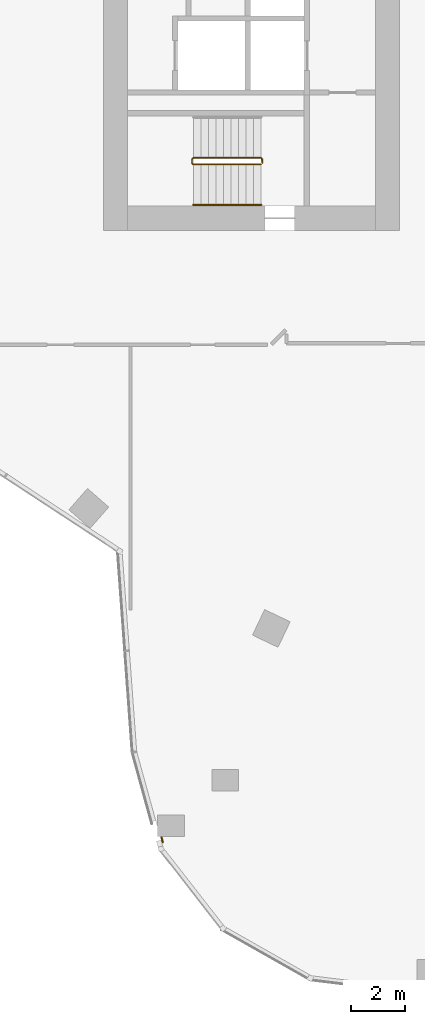
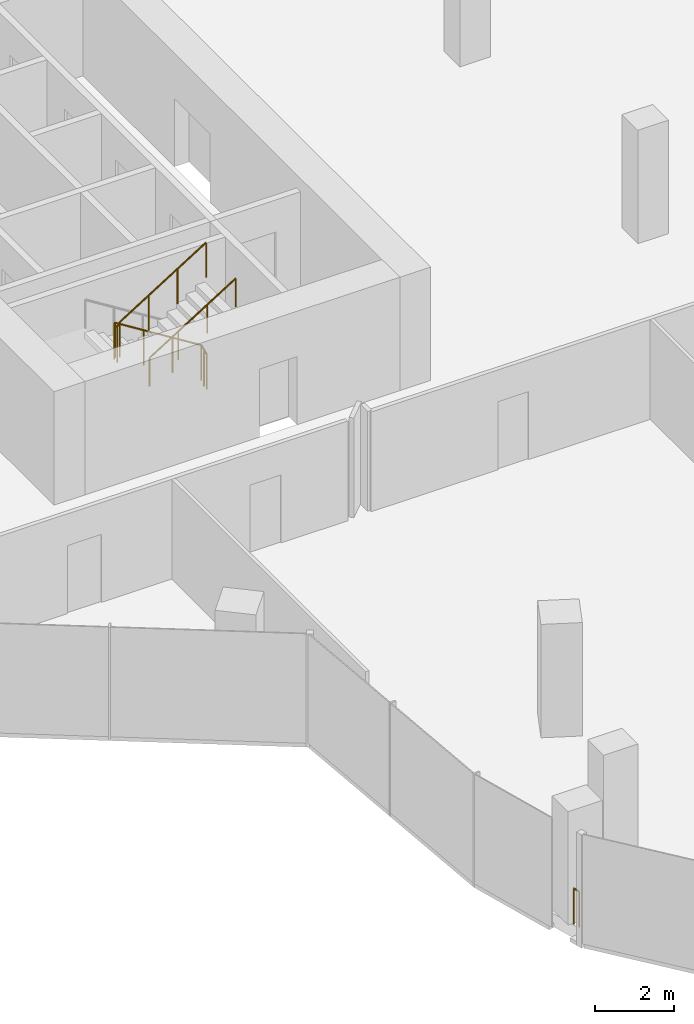
# One storey, part 22 of 24: 3 railings.
"""IFC4 building model written with IfcOpenShell, lengths in metres."""

from ifc_helpers import new_model, si_unit, direction, frame, origin, origin_2d, place, context, subcontext, project, spatial, circle, extrude, material, type_object, element, save


model = new_model("IFC4")

# Units and contexts
model_context = context("Model", 3, precision=1e-05, world=origin(), true_north=direction((0.0, 1.0)))
body_context = subcontext(model_context, "Body", "Model", "MODEL_VIEW")
ifc_project = project(units=[si_unit("LENGTHUNIT", "METRE"), si_unit("AREAUNIT", "SQUARE_METRE"), si_unit("VOLUMEUNIT", "CUBIC_METRE"), si_unit("PLANEANGLEUNIT", "RADIAN"), si_unit("MASSUNIT", "GRAM", prefix="KILO")], contexts=[model_context])

# Site, building, storey
site_placement = place(None, origin())
site = spatial("IfcSite", under=ifc_project, at=site_placement, CompositionType="ELEMENT")
building_placement = place(site_placement, origin())
building = spatial("IfcBuilding", under=site, at=building_placement, Name="Orlundy Tower", CompositionType="ELEMENT")
storey_placement = place(building_placement, frame((0.0, 0.0, 242.5)))
storey = spatial("IfcBuildingStorey", under=building, at=storey_placement, Name="L64", CompositionType="ELEMENT", Elevation=242.5)

# Railings
ifc_material_1 = material(Name="Steel balustrade", Category="steel")
railing_type_1 = type_object("IfcRailingType", Name="Stair Guard 1100", PredefinedType="GUARDRAIL", material=ifc_material_1)
railing_1_placement = place(storey_placement, frame((-13.090087890625, -9.35009765625, 0.0)))
element("IfcRailing", 1, at=railing_1_placement, inside=storey, type_object=railing_type_1, Name="L64 ST-W2 stair guard 1", PredefinedType="GUARDRAIL", context=body_context, shape_type="SweptSolid", body=[
    extrude(circle(Radius=0.02392578125, at=origin_2d()), frame((0.0, 0.0, 1.076171875), z_axis=(0.0, -1.0, 0.0), x_axis=(1.0, 0.0, 0.0)), (0.0, 0.0, 1.0), 0.14990234375),
    extrude(circle(Radius=0.02392578125, at=origin_2d()), frame((0.0, -0.14990234375, 1.076171875), z_axis=(-0.18420542264, 0.739530593833, 0.647427882513), x_axis=(-0.970351222016, -0.241699205484, 0.0)), (0.0, 0.0, 1.0), 0.270263671875),
    extrude(circle(Radius=0.02392578125, at=origin_2d()), frame((-0.0498046875, 0.050048828125, 1.2509765625), z_axis=(-0.848007534815, 0.0, 0.529984170421), x_axis=(0.0, -1.0, 0.0)), (0.0, 0.0, 1.0), 2.9716796875),
    extrude(circle(Radius=0.02392578125, at=origin_2d()), frame((-2.56982421875, 0.050048828125, 2.826171875), z_axis=(-0.707106781187, -0.707106781187, 0.0), x_axis=(0.707106781187, -0.707106781187, 0.0)), (0.0, 0.0, 1.0), 0.07080078125),
    extrude(circle(Radius=0.02392578125, at=origin_2d()), frame((-2.619873046875, 0.0, 2.826171875), z_axis=(0.0, -1.0, 0.0), x_axis=(1.0, 0.0, 0.0)), (0.0, 0.0, 1.0), 0.14990234375),
    extrude(circle(Radius=0.02392578125, at=origin_2d()), frame((-2.619873046875, -0.14990234375, 2.826171875), z_axis=(0.265065253269, -0.265065253269, 0.927081885822), x_axis=(0.707106781187, 0.707106781187, 0.0)), (0.0, 0.0, 1.0), 0.188720703125),
    extrude(circle(Radius=0.02392578125, at=origin_2d()), frame((-2.56982421875, -0.199951171875, 3.0009765625), z_axis=(0.848007534815, 0.0, 0.529984170421), x_axis=(0.0, 1.0, 0.0)), (0.0, 0.0, 1.0), 2.9716796875),
    extrude(circle(Radius=0.02099609375, at=origin_2d()), origin(), (0.0, 0.0, 1.0), 1.052001953125),
    extrude(circle(Radius=0.02099609375, at=origin_2d()), frame((0.0, -0.14990234375, 0.0)), (0.0, 0.0, 1.0), 1.052001953125),
    extrude(circle(Radius=0.02099609375, at=origin_2d()), frame((-0.0498046875, 0.050048828125, 0.175048828125)), (0.0, 0.0, 1.0), 1.052001953125),
    extrude(circle(Radius=0.02099609375, at=origin_2d()), frame((-0.889892578125, 0.050048828125, 0.699951171875)), (0.0, 0.0, 1.0), 1.052001953125),
    extrude(circle(Radius=0.02099609375, at=origin_2d()), frame((-1.729736328125, 0.050048828125, 1.22509765625)), (0.0, 0.0, 1.0), 1.052001953125),
    extrude(circle(Radius=0.02099609375, at=origin_2d()), frame((-2.56982421875, 0.050048828125, 1.75)), (0.0, 0.0, 1.0), 1.052001953125),
    extrude(circle(Radius=0.02099609375, at=origin_2d()), frame((-2.619873046875, 0.0, 1.75)), (0.0, 0.0, 1.0), 1.052001953125),
    extrude(circle(Radius=0.02099609375, at=origin_2d()), frame((-2.619873046875, -0.14990234375, 1.75)), (0.0, 0.0, 1.0), 1.052001953125),
    extrude(circle(Radius=0.02099609375, at=origin_2d()), frame((-2.56982421875, -0.199951171875, 1.925048828125)), (0.0, 0.0, 1.0), 1.052001953125),
    extrude(circle(Radius=0.02099609375, at=origin_2d()), frame((-1.729736328125, -0.199951171875, 2.449951171875)), (0.0, 0.0, 1.0), 1.052001953125),
    extrude(circle(Radius=0.02099609375, at=origin_2d()), frame((-0.889892578125, -0.199951171875, 2.97509765625)), (0.0, 0.0, 1.0), 1.052001953125),
    extrude(circle(Radius=0.02099609375, at=origin_2d()), frame((-0.0498046875, -0.199951171875, 3.5)), (0.0, 0.0, 1.0), 1.052001953125),
])
ifc_material_2 = material(Name="Steel handrail", Category="steel")
railing_type_2 = type_object("IfcRailingType", Name="Stair Handrail 900", PredefinedType="HANDRAIL", material=ifc_material_2)
railing_2_placement = place(storey_placement, frame((-15.659912109375, -11.050048828125, 1.925048828125)))
element("IfcRailing", 2, at=railing_2_placement, inside=storey, type_object=railing_type_2, Name="L64 ST-W2 stair handrail 2", PredefinedType="HANDRAIL", context=body_context, shape_type="SweptSolid", body=[
    extrude(circle(Radius=0.02392578125, at=origin_2d()), frame((0.0, 0.0, 0.8759765625), z_axis=(0.848007534815, 0.0, 0.529984170421), x_axis=(0.0, 1.0, 0.0)), (0.0, 0.0, 1.0), 2.9716796875),
    extrude(circle(Radius=0.02099609375, at=origin_2d()), origin(), (0.0, 0.0, 1.0), 0.851806640625),
    extrude(circle(Radius=0.02099609375, at=origin_2d()), frame((0.840087890625, 0.0, 0.52490234375)), (0.0, 0.0, 1.0), 0.851806640625),
    extrude(circle(Radius=0.02099609375, at=origin_2d()), frame((1.679931640625, 0.0, 1.050048828125)), (0.0, 0.0, 1.0), 0.851806640625),
    extrude(circle(Radius=0.02099609375, at=origin_2d()), frame((2.52001953125, 0.0, 1.574951171875)), (0.0, 0.0, 1.0), 0.851806640625),
])
ifc_material_3 = material(Name="Stainless steel bronze finish", Category="steel")
railing_type_3 = type_object("IfcRailingType", Name="TG1 terrace guard", PredefinedType="GUARDRAIL", material=ifc_material_3)
railing_3_placement = place(storey_placement, frame((-16.796630859375, -34.74365234375, 0.0)))
element("IfcRailing", 3, at=railing_3_placement, inside=storey, type_object=railing_type_3, Name="Guard TG-L64-E00", PredefinedType="GUARDRAIL", context=body_context, shape_type="SweptSolid", body=[
    extrude(circle(Radius=0.02490234375, at=origin_2d()), frame((0.0, 0.0, 1.09521484375), z_axis=(-0.265638326664, 0.964072756283, 0.0), x_axis=(-0.964072756283, -0.265638326664, 0.0)), (0.0, 0.0, 1.0), 0.1884765625),
    extrude(circle(Radius=0.02001953125, at=origin_2d()), origin(), (0.0, 0.0, 1.0), 1.070068359375),
    extrude(circle(Radius=0.02001953125, at=origin_2d()), frame((-0.050048828125, 0.181640625, 0.0)), (0.0, 0.0, 1.0), 1.070068359375),
])

save(model, "model.ifc")
